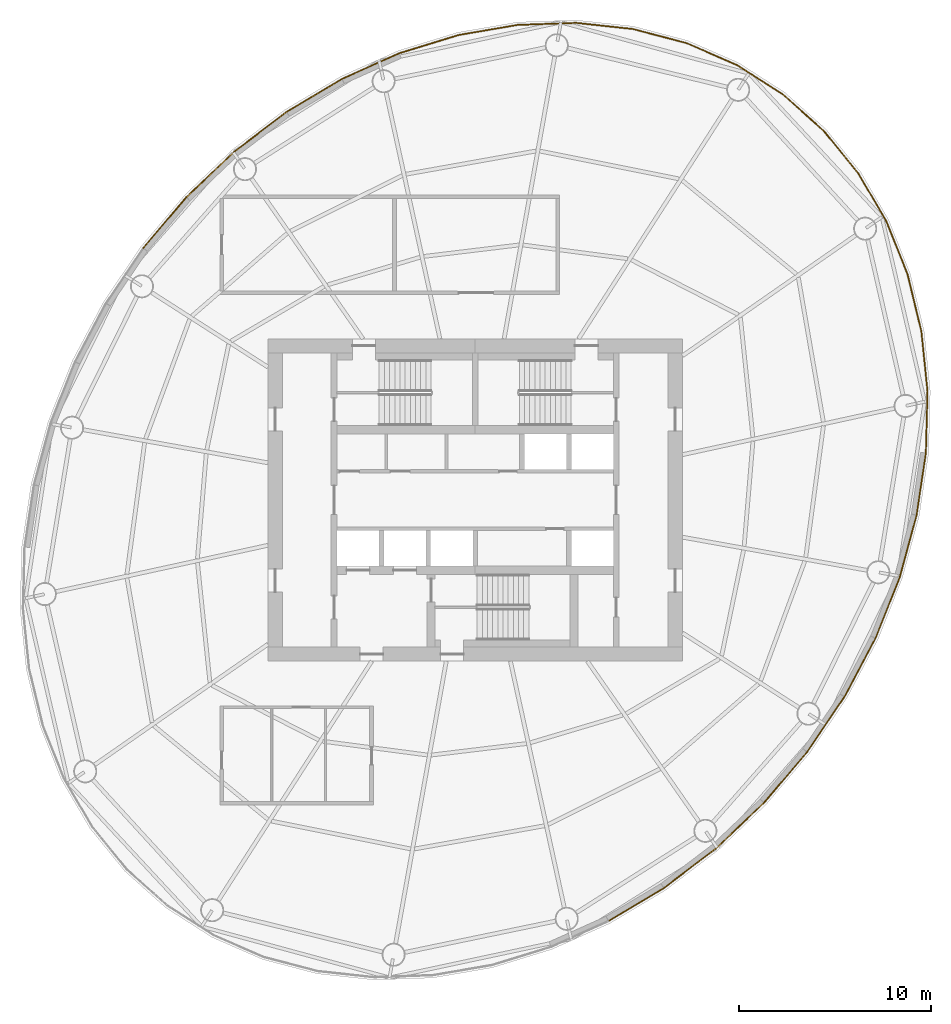
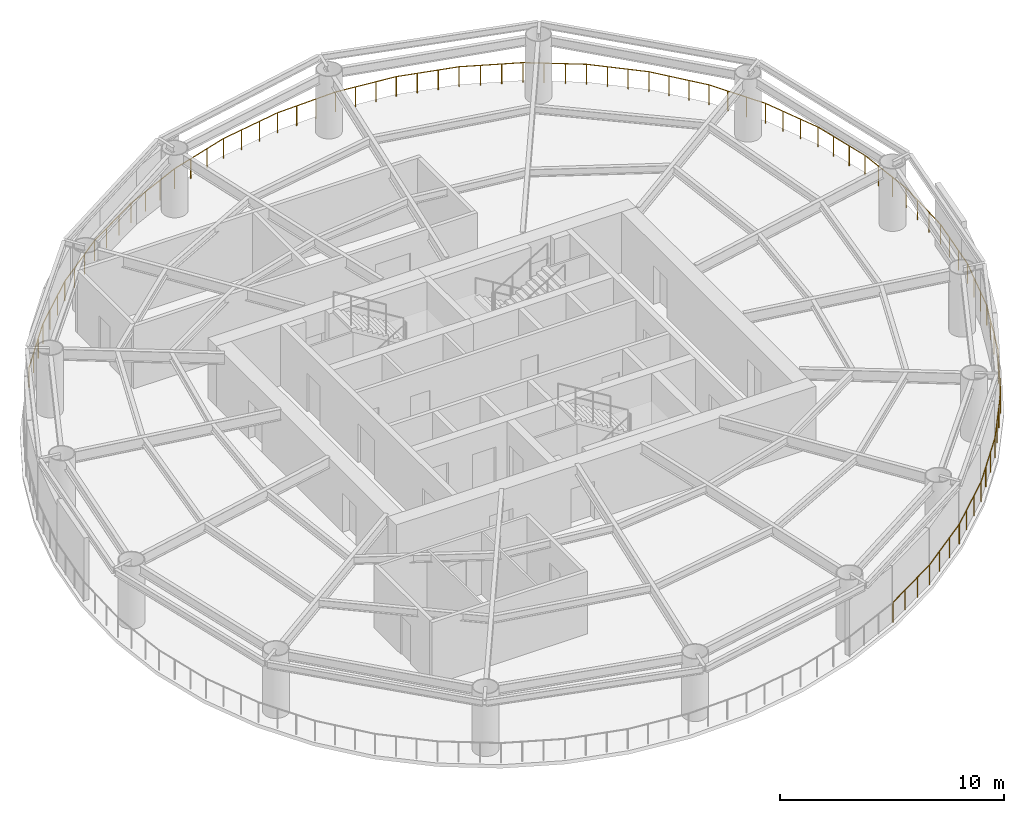
# One storey, part 8 of 8: 7 railings.
"""IFC4 building model written with IfcOpenShell, lengths in metres."""

from ifc_helpers import new_model, si_unit, direction, frame, origin, origin_2d, place, context, subcontext, project, spatial, circle, extrude, material, type_object, element, save


model = new_model("IFC4")

# Units and contexts
model_context = context("Model", 3, precision=1e-05, world=origin(), true_north=direction((0.0, 1.0)))
body_context = subcontext(model_context, "Body", "Model", "MODEL_VIEW")
ifc_project = project(units=[si_unit("LENGTHUNIT", "METRE"), si_unit("AREAUNIT", "SQUARE_METRE"), si_unit("VOLUMEUNIT", "CUBIC_METRE"), si_unit("PLANEANGLEUNIT", "RADIAN"), si_unit("MASSUNIT", "GRAM", prefix="KILO")], contexts=[model_context])

# Site, building, storey
site_placement = place(None, origin())
site = spatial("IfcSite", under=ifc_project, at=site_placement, CompositionType="ELEMENT")
building_placement = place(site_placement, origin())
building = spatial("IfcBuilding", under=site, at=building_placement, Name="Vermilion Reach Broadcast Tower", CompositionType="ELEMENT")
storey_placement = place(building_placement, frame((0.0, 0.0, 242.5)))
storey = spatial("IfcBuildingStorey", under=building, at=storey_placement, Name="L60", CompositionType="ELEMENT", Elevation=242.5)

# Railings
ifc_material = material(Name="Steel guardrail with stainless infill", Category="steel")
railing_type = type_object("IfcRailingType", Name="Open floor guardrail 1100", PredefinedType="GUARDRAIL", material=ifc_material)
railing_1_placement = place(storey_placement, frame((10.036376953125, 21.127197265625, 0.0)))
element("IfcRailing", 1, at=railing_1_placement, inside=storey, type_object=railing_type, Name="sp.rail.L60.00", PredefinedType="GUARDRAIL", context=body_context, shape_type="SweptSolid", body=[
    extrude(circle(Radius=0.02490234375, at=origin_2d()), frame((0.0, 0.0, 1.0751953125), z_axis=(-0.842202657489, 0.539161092549, 0.0), x_axis=(-0.539161092549, -0.842202657489, 0.0)), (0.0, 0.0, 1.0), 2.838134765625),
    extrude(circle(Radius=0.02490234375, at=origin_2d()), frame((-2.390380859375, 1.5302734375, 1.0751953125), z_axis=(-0.916638271339, 0.399717749814, 0.0), x_axis=(-0.399717749814, -0.916638271339, 0.0)), (0.0, 0.0, 1.0), 2.862060546875),
    extrude(circle(Radius=0.02490234375, at=origin_2d()), frame((-5.013916015625, 2.67431640625, 1.0751953125), z_axis=(-0.967298199727, 0.253641859333, 0.0), x_axis=(-0.253641859333, -0.967298199727, 0.0)), (0.0, 0.0, 1.0), 2.90771484375),
    extrude(circle(Radius=0.02490234375, at=origin_2d()), frame((-7.82666015625, 3.411865234375, 1.0751953125), z_axis=(-0.994224596415, 0.107319391926, 0.0), x_axis=(-0.107319391926, -0.994224596415, 0.0)), (0.0, 0.0, 1.0), 2.970947265625),
    extrude(circle(Radius=0.02490234375, at=origin_2d()), origin(), (0.0, 0.0, 1.0), 1.050048828125),
    extrude(circle(Radius=0.02490234375, at=origin_2d()), frame((-0.796875, 0.510009765625, 0.0)), (0.0, 0.0, 1.0), 1.050048828125),
    extrude(circle(Radius=0.02490234375, at=origin_2d()), frame((-1.593505859375, 1.020263671875, 0.0)), (0.0, 0.0, 1.0), 1.050048828125),
    extrude(circle(Radius=0.02490234375, at=origin_2d()), frame((-2.390380859375, 1.5302734375, 0.0)), (0.0, 0.0, 1.0), 1.050048828125),
    extrude(circle(Radius=0.02490234375, at=origin_2d()), frame((-3.264892578125, 1.91162109375, 0.0)), (0.0, 0.0, 1.0), 1.050048828125),
    extrude(circle(Radius=0.02490234375, at=origin_2d()), frame((-4.139404296875, 2.29296875, 0.0)), (0.0, 0.0, 1.0), 1.050048828125),
    extrude(circle(Radius=0.02490234375, at=origin_2d()), frame((-5.013916015625, 2.67431640625, 0.0)), (0.0, 0.0, 1.0), 1.050048828125),
    extrude(circle(Radius=0.02490234375, at=origin_2d()), frame((-5.951416015625, 2.920166015625, 0.0)), (0.0, 0.0, 1.0), 1.050048828125),
    extrude(circle(Radius=0.02490234375, at=origin_2d()), frame((-6.88916015625, 3.166015625, 0.0)), (0.0, 0.0, 1.0), 1.050048828125),
    extrude(circle(Radius=0.02490234375, at=origin_2d()), frame((-7.82666015625, 3.411865234375, 0.0)), (0.0, 0.0, 1.0), 1.050048828125),
    extrude(circle(Radius=0.02490234375, at=origin_2d()), frame((-8.811279296875, 3.51806640625, 0.0)), (0.0, 0.0, 1.0), 1.050048828125),
    extrude(circle(Radius=0.02490234375, at=origin_2d()), frame((-9.7958984375, 3.62451171875, 0.0)), (0.0, 0.0, 1.0), 1.050048828125),
    extrude(circle(Radius=0.02490234375, at=origin_2d()), frame((-10.780517578125, 3.730712890625, 0.0)), (0.0, 0.0, 1.0), 1.050048828125),
])
railing_2_placement = place(storey_placement, frame((-0.744140625, 24.85791015625, 0.0)))
element("IfcRailing", 2, at=railing_2_placement, inside=storey, type_object=railing_type, Name="sp.rail.L60.01", PredefinedType="GUARDRAIL", context=body_context, shape_type="SweptSolid", body=[
    extrude(circle(Radius=0.02490234375, at=origin_2d()), frame((0.0, 0.0, 1.0751953125), z_axis=(-0.999395003801, -0.034779683397, 0.0), x_axis=(0.034779683397, -0.999395003801, 0.0)), (0.0, 0.0, 1.0), 3.046630859375),
    extrude(circle(Radius=0.02490234375, at=origin_2d()), frame((-3.044677734375, -0.10595703125, 1.0751953125), z_axis=(-0.985574321614, -0.16924318768, 0.0), x_axis=(0.16924318768, -0.985574321614, 0.0)), (0.0, 0.0, 1.0), 3.12890625),
    extrude(circle(Radius=0.02490234375, at=origin_2d()), frame((-6.12841796875, -0.635498046875, 1.0751953125), z_axis=(-0.955813519835, -0.293973664297, 0.0), x_axis=(0.293973664297, -0.955813519835, 0.0)), (0.0, 0.0, 1.0), 3.21142578125),
    extrude(circle(Radius=0.02490234375, at=origin_2d()), frame((-9.197998046875, -1.57958984375, 1.0751953125), z_axis=(-0.912835723321, -0.408327004042, 0.0), x_axis=(0.408327004042, -0.912835723321, 0.0)), (0.0, 0.0, 1.0), 3.28955078125),
    extrude(circle(Radius=0.02490234375, at=origin_2d()), origin(), (0.0, 0.0, 1.0), 1.050048828125),
    extrude(circle(Radius=0.02490234375, at=origin_2d()), frame((-1.014892578125, -0.035400390625, 0.0)), (0.0, 0.0, 1.0), 1.050048828125),
    extrude(circle(Radius=0.02490234375, at=origin_2d()), frame((-2.02978515625, -0.070556640625, 0.0)), (0.0, 0.0, 1.0), 1.050048828125),
    extrude(circle(Radius=0.02490234375, at=origin_2d()), frame((-3.044677734375, -0.10595703125, 0.0)), (0.0, 0.0, 1.0), 1.050048828125),
    extrude(circle(Radius=0.02490234375, at=origin_2d()), frame((-4.072509765625, -0.282470703125, 0.0)), (0.0, 0.0, 1.0), 1.050048828125),
    extrude(circle(Radius=0.02490234375, at=origin_2d()), frame((-5.1005859375, -0.458984375, 0.0)), (0.0, 0.0, 1.0), 1.050048828125),
    extrude(circle(Radius=0.02490234375, at=origin_2d()), frame((-6.12841796875, -0.635498046875, 0.0)), (0.0, 0.0, 1.0), 1.050048828125),
    extrude(circle(Radius=0.02490234375, at=origin_2d()), frame((-7.151611328125, -0.9501953125, 0.0)), (0.0, 0.0, 1.0), 1.050048828125),
    extrude(circle(Radius=0.02490234375, at=origin_2d()), frame((-8.1748046875, -1.264892578125, 0.0)), (0.0, 0.0, 1.0), 1.050048828125),
    extrude(circle(Radius=0.02490234375, at=origin_2d()), frame((-9.197998046875, -1.57958984375, 0.0)), (0.0, 0.0, 1.0), 1.050048828125),
    extrude(circle(Radius=0.02490234375, at=origin_2d()), frame((-10.198974609375, -2.02734375, 0.0)), (0.0, 0.0, 1.0), 1.050048828125),
    extrude(circle(Radius=0.02490234375, at=origin_2d()), frame((-11.199951171875, -2.47509765625, 0.0)), (0.0, 0.0, 1.0), 1.050048828125),
    extrude(circle(Radius=0.02490234375, at=origin_2d()), frame((-12.200927734375, -2.9228515625, 0.0)), (0.0, 0.0, 1.0), 1.050048828125),
])
railing_3_placement = place(storey_placement, frame((-12.945068359375, 21.93505859375, 0.0)))
element("IfcRailing", 3, at=railing_3_placement, inside=storey, type_object=railing_type, Name="sp.rail.L60.02", PredefinedType="GUARDRAIL", context=body_context, shape_type="SweptSolid", body=[
    extrude(circle(Radius=0.02490234375, at=origin_2d()), frame((0.0, 0.0, 1.0751953125), z_axis=(-0.858996781751, -0.511980984942, 0.0), x_axis=(0.511980984942, -0.858996781751, 0.0)), (0.0, 0.0, 1.0), 3.35791015625),
    extrude(circle(Radius=0.02490234375, at=origin_2d()), frame((-2.884521484375, -1.71923828125, 1.0751953125), z_axis=(-0.795947090382, -0.605366194392, 0.0), x_axis=(0.605366194392, -0.795947090382, 0.0)), (0.0, 0.0, 1.0), 3.41259765625),
    extrude(circle(Radius=0.02490234375, at=origin_2d()), frame((-5.600830078125, -3.78515625, 1.0751953125), z_axis=(-0.72488108774, -0.688874015069, 0.0), x_axis=(0.688874015069, -0.72488108774, 0.0)), (0.0, 0.0, 1.0), 3.451171875),
    extrude(circle(Radius=0.02490234375, at=origin_2d()), frame((-8.1025390625, -6.16259765625, 1.0751953125), z_axis=(-0.646418292005, -0.762983218532, 0.0), x_axis=(0.762983218532, -0.646418292005, 0.0)), (0.0, 0.0, 1.0), 3.470458984375),
    extrude(circle(Radius=0.02490234375, at=origin_2d()), origin(), (0.0, 0.0, 1.0), 1.050048828125),
    extrude(circle(Radius=0.02490234375, at=origin_2d()), frame((-0.96142578125, -0.572998046875, 0.0)), (0.0, 0.0, 1.0), 1.050048828125),
    extrude(circle(Radius=0.02490234375, at=origin_2d()), frame((-1.923095703125, -1.146240234375, 0.0)), (0.0, 0.0, 1.0), 1.050048828125),
    extrude(circle(Radius=0.02490234375, at=origin_2d()), frame((-2.884521484375, -1.71923828125, 0.0)), (0.0, 0.0, 1.0), 1.050048828125),
    extrude(circle(Radius=0.02490234375, at=origin_2d()), frame((-3.7900390625, -2.407958984375, 0.0)), (0.0, 0.0, 1.0), 1.050048828125),
    extrude(circle(Radius=0.02490234375, at=origin_2d()), frame((-4.6953125, -3.096435546875, 0.0)), (0.0, 0.0, 1.0), 1.050048828125),
    extrude(circle(Radius=0.02490234375, at=origin_2d()), frame((-5.600830078125, -3.78515625, 0.0)), (0.0, 0.0, 1.0), 1.050048828125),
    extrude(circle(Radius=0.02490234375, at=origin_2d()), frame((-6.434814453125, -4.57763671875, 0.0)), (0.0, 0.0, 1.0), 1.050048828125),
    extrude(circle(Radius=0.02490234375, at=origin_2d()), frame((-7.2685546875, -5.3701171875, 0.0)), (0.0, 0.0, 1.0), 1.050048828125),
    extrude(circle(Radius=0.02490234375, at=origin_2d()), frame((-8.1025390625, -6.16259765625, 0.0)), (0.0, 0.0, 1.0), 1.050048828125),
    extrude(circle(Radius=0.02490234375, at=origin_2d()), frame((-8.850341796875, -7.045166015625, 0.0)), (0.0, 0.0, 1.0), 1.050048828125),
    extrude(circle(Radius=0.02490234375, at=origin_2d()), frame((-9.59814453125, -7.927978515625, 0.0)), (0.0, 0.0, 1.0), 1.050048828125),
    extrude(circle(Radius=0.02490234375, at=origin_2d()), frame((-10.345947265625, -8.810546875, 0.0)), (0.0, 0.0, 1.0), 1.050048828125),
])
railing_4_placement = place(storey_placement, frame((0.945068359375, -21.93505859375, 0.0)))
element("IfcRailing", 4, at=railing_4_placement, inside=storey, type_object=railing_type, Name="sp.rail.L60.08", PredefinedType="GUARDRAIL", context=body_context, shape_type="SweptSolid", body=[
    extrude(circle(Radius=0.02490234375, at=origin_2d()), frame((0.0, 0.0, 1.0751953125), z_axis=(0.858996781751, 0.511980984942, 0.0), x_axis=(-0.511980984942, 0.858996781751, 0.0)), (0.0, 0.0, 1.0), 3.35791015625),
    extrude(circle(Radius=0.02490234375, at=origin_2d()), frame((2.884521484375, 1.71923828125, 1.0751953125), z_axis=(0.795947090382, 0.605366194392, 0.0), x_axis=(-0.605366194392, 0.795947090382, 0.0)), (0.0, 0.0, 1.0), 3.41259765625),
    extrude(circle(Radius=0.02490234375, at=origin_2d()), frame((5.600830078125, 3.78515625, 1.0751953125), z_axis=(0.72488108774, 0.688874015069, 0.0), x_axis=(-0.688874015069, 0.72488108774, 0.0)), (0.0, 0.0, 1.0), 3.451171875),
    extrude(circle(Radius=0.02490234375, at=origin_2d()), frame((8.1025390625, 6.16259765625, 1.0751953125), z_axis=(0.646418292005, 0.762983218532, 0.0), x_axis=(-0.762983218532, 0.646418292005, 0.0)), (0.0, 0.0, 1.0), 3.470458984375),
    extrude(circle(Radius=0.02490234375, at=origin_2d()), origin(), (0.0, 0.0, 1.0), 1.050048828125),
    extrude(circle(Radius=0.02490234375, at=origin_2d()), frame((0.96142578125, 0.572998046875, 0.0)), (0.0, 0.0, 1.0), 1.050048828125),
    extrude(circle(Radius=0.02490234375, at=origin_2d()), frame((1.923095703125, 1.146240234375, 0.0)), (0.0, 0.0, 1.0), 1.050048828125),
    extrude(circle(Radius=0.02490234375, at=origin_2d()), frame((2.884521484375, 1.71923828125, 0.0)), (0.0, 0.0, 1.0), 1.050048828125),
    extrude(circle(Radius=0.02490234375, at=origin_2d()), frame((3.7900390625, 2.407958984375, 0.0)), (0.0, 0.0, 1.0), 1.050048828125),
    extrude(circle(Radius=0.02490234375, at=origin_2d()), frame((4.6953125, 3.096435546875, 0.0)), (0.0, 0.0, 1.0), 1.050048828125),
    extrude(circle(Radius=0.02490234375, at=origin_2d()), frame((5.600830078125, 3.78515625, 0.0)), (0.0, 0.0, 1.0), 1.050048828125),
    extrude(circle(Radius=0.02490234375, at=origin_2d()), frame((6.434814453125, 4.57763671875, 0.0)), (0.0, 0.0, 1.0), 1.050048828125),
    extrude(circle(Radius=0.02490234375, at=origin_2d()), frame((7.2685546875, 5.3701171875, 0.0)), (0.0, 0.0, 1.0), 1.050048828125),
    extrude(circle(Radius=0.02490234375, at=origin_2d()), frame((8.1025390625, 6.16259765625, 0.0)), (0.0, 0.0, 1.0), 1.050048828125),
    extrude(circle(Radius=0.02490234375, at=origin_2d()), frame((8.850341796875, 7.045166015625, 0.0)), (0.0, 0.0, 1.0), 1.050048828125),
    extrude(circle(Radius=0.02490234375, at=origin_2d()), frame((9.59814453125, 7.927978515625, 0.0)), (0.0, 0.0, 1.0), 1.050048828125),
    extrude(circle(Radius=0.02490234375, at=origin_2d()), frame((10.345947265625, 8.810546875, 0.0)), (0.0, 0.0, 1.0), 1.050048828125),
])
railing_5_placement = place(storey_placement, frame((11.291015625, -13.12451171875, 0.0)))
element("IfcRailing", 5, at=railing_5_placement, inside=storey, type_object=railing_type, Name="sp.rail.L60.09", PredefinedType="GUARDRAIL", context=body_context, shape_type="SweptSolid", body=[
    extrude(circle(Radius=0.02490234375, at=origin_2d()), frame((0.0, 0.0, 1.0751953125), z_axis=(0.561031680538, 0.827794330394, 0.0), x_axis=(-0.827794330394, 0.561031680538, 0.0)), (0.0, 0.0, 1.0), 3.470458984375),
    extrude(circle(Radius=0.02490234375, at=origin_2d()), frame((1.947021484375, 2.872802734375, 1.0751953125), z_axis=(0.468589631289, 0.883415959471, 0.0), x_axis=(-0.883415959471, 0.468589631289, 0.0)), (0.0, 0.0, 1.0), 3.451171875),
    extrude(circle(Radius=0.02490234375, at=origin_2d()), frame((3.564208984375, 5.921630859375, 1.0751953125), z_axis=(0.368996596938, 0.929430745913, 0.0), x_axis=(-0.929430745913, 0.368996596938, 0.0)), (0.0, 0.0, 1.0), 3.41259765625),
    extrude(circle(Radius=0.02490234375, at=origin_2d()), frame((4.823486328125, 9.093505859375, 1.0751953125), z_axis=(0.26217602401, 0.96502006841, 0.0), x_axis=(-0.96502006841, 0.26217602401, 0.0)), (0.0, 0.0, 1.0), 3.35791015625),
    extrude(circle(Radius=0.02490234375, at=origin_2d()), origin(), (0.0, 0.0, 1.0), 1.050048828125),
    extrude(circle(Radius=0.02490234375, at=origin_2d()), frame((0.64892578125, 0.95751953125, 0.0)), (0.0, 0.0, 1.0), 1.050048828125),
    extrude(circle(Radius=0.02490234375, at=origin_2d()), frame((1.298095703125, 1.915283203125, 0.0)), (0.0, 0.0, 1.0), 1.050048828125),
    extrude(circle(Radius=0.02490234375, at=origin_2d()), frame((1.947021484375, 2.872802734375, 0.0)), (0.0, 0.0, 1.0), 1.050048828125),
    extrude(circle(Radius=0.02490234375, at=origin_2d()), frame((2.486083984375, 3.88916015625, 0.0)), (0.0, 0.0, 1.0), 1.050048828125),
    extrude(circle(Radius=0.02490234375, at=origin_2d()), frame((3.025146484375, 4.9052734375, 0.0)), (0.0, 0.0, 1.0), 1.050048828125),
    extrude(circle(Radius=0.02490234375, at=origin_2d()), frame((3.564208984375, 5.921630859375, 0.0)), (0.0, 0.0, 1.0), 1.050048828125),
    extrude(circle(Radius=0.02490234375, at=origin_2d()), frame((3.98388671875, 6.97900390625, 0.0)), (0.0, 0.0, 1.0), 1.050048828125),
    extrude(circle(Radius=0.02490234375, at=origin_2d()), frame((4.40380859375, 8.0361328125, 0.0)), (0.0, 0.0, 1.0), 1.050048828125),
    extrude(circle(Radius=0.02490234375, at=origin_2d()), frame((4.823486328125, 9.093505859375, 0.0)), (0.0, 0.0, 1.0), 1.050048828125),
    extrude(circle(Radius=0.02490234375, at=origin_2d()), frame((5.116943359375, 10.173583984375, 0.0)), (0.0, 0.0, 1.0), 1.050048828125),
    extrude(circle(Radius=0.02490234375, at=origin_2d()), frame((5.410400390625, 11.25390625, 0.0)), (0.0, 0.0, 1.0), 1.050048828125),
    extrude(circle(Radius=0.02490234375, at=origin_2d()), frame((5.703857421875, 12.333984375, 0.0)), (0.0, 0.0, 1.0), 1.050048828125),
])
railing_6_placement = place(storey_placement, frame((16.994873046875, -0.79052734375, 0.0)))
element("IfcRailing", 6, at=railing_6_placement, inside=storey, type_object=railing_type, Name="sp.rail.L60.10", PredefinedType="GUARDRAIL", context=body_context, shape_type="SweptSolid", body=[
    extrude(circle(Radius=0.02490234375, at=origin_2d()), frame((0.0, 0.0, 1.0751953125), z_axis=(0.147767011732, 0.989022199065, 0.0), x_axis=(-0.989022199065, 0.147767011732, 0.0)), (0.0, 0.0, 1.0), 3.28955078125),
    extrude(circle(Radius=0.02490234375, at=origin_2d()), frame((0.486083984375, 3.25341796875, 1.0751953125), z_axis=(0.026148762341, 0.999658062653, 0.0), x_axis=(-0.999658062653, 0.026148762341, 0.0)), (0.0, 0.0, 1.0), 3.211669921875),
    extrude(circle(Radius=0.02490234375, at=origin_2d()), frame((0.570068359375, 6.464111328125, 1.0751953125), z_axis=(-0.102068466274, 0.994777376197, 0.0), x_axis=(-0.994777376197, -0.102068466274, 0.0)), (0.0, 0.0, 1.0), 3.128662109375),
    extrude(circle(Radius=0.02490234375, at=origin_2d()), frame((0.250732421875, 9.576416015625, 1.0751953125), z_axis=(-0.235269751113, 0.971930112823, 0.0), x_axis=(-0.971930112823, -0.235269751113, 0.0)), (0.0, 0.0, 1.0), 3.046630859375),
    extrude(circle(Radius=0.02490234375, at=origin_2d()), origin(), (0.0, 0.0, 1.0), 1.050048828125),
    extrude(circle(Radius=0.02490234375, at=origin_2d()), frame((0.162109375, 1.08447265625, 0.0)), (0.0, 0.0, 1.0), 1.050048828125),
    extrude(circle(Radius=0.02490234375, at=origin_2d()), frame((0.323974609375, 2.1689453125, 0.0)), (0.0, 0.0, 1.0), 1.050048828125),
    extrude(circle(Radius=0.02490234375, at=origin_2d()), frame((0.486083984375, 3.25341796875, 0.0)), (0.0, 0.0, 1.0), 1.050048828125),
    extrude(circle(Radius=0.02490234375, at=origin_2d()), frame((0.51416015625, 4.32373046875, 0.0)), (0.0, 0.0, 1.0), 1.050048828125),
    extrude(circle(Radius=0.02490234375, at=origin_2d()), frame((0.5419921875, 5.393798828125, 0.0)), (0.0, 0.0, 1.0), 1.050048828125),
    extrude(circle(Radius=0.02490234375, at=origin_2d()), frame((0.570068359375, 6.464111328125, 0.0)), (0.0, 0.0, 1.0), 1.050048828125),
    extrude(circle(Radius=0.02490234375, at=origin_2d()), frame((0.463623046875, 7.50146484375, 0.0)), (0.0, 0.0, 1.0), 1.050048828125),
    extrude(circle(Radius=0.02490234375, at=origin_2d()), frame((0.357177734375, 8.5390625, 0.0)), (0.0, 0.0, 1.0), 1.050048828125),
    extrude(circle(Radius=0.02490234375, at=origin_2d()), frame((0.250732421875, 9.576416015625, 0.0)), (0.0, 0.0, 1.0), 1.050048828125),
    extrude(circle(Radius=0.02490234375, at=origin_2d()), frame((0.01171875, 10.5634765625, 0.0)), (0.0, 0.0, 1.0), 1.050048828125),
    extrude(circle(Radius=0.02490234375, at=origin_2d()), frame((-0.22705078125, 11.550537109375, 0.0)), (0.0, 0.0, 1.0), 1.050048828125),
    extrude(circle(Radius=0.02490234375, at=origin_2d()), frame((-0.466064453125, 12.53759765625, 0.0)), (0.0, 0.0, 1.0), 1.050048828125),
])
railing_7_placement = place(storey_placement, frame((16.52880859375, 11.7470703125, 0.0)))
element("IfcRailing", 7, at=railing_7_placement, inside=storey, type_object=railing_type, Name="sp.rail.L60.11", PredefinedType="GUARDRAIL", context=body_context, shape_type="SweptSolid", body=[
    extrude(circle(Radius=0.02490234375, at=origin_2d()), frame((0.0, 0.0, 1.0751953125), z_axis=(-0.370696326285, 0.928754129831, 0.0), x_axis=(-0.928754129831, -0.370696326285, 0.0)), (0.0, 0.0, 1.0), 2.970947265625),
    extrude(circle(Radius=0.02490234375, at=origin_2d()), frame((-1.101318359375, 2.75927734375, 1.0751953125), z_axis=(-0.50449730757, 0.863413265276, 0.0), x_axis=(-0.863413265276, -0.50449730757, 0.0)), (0.0, 0.0, 1.0), 2.907958984375),
    extrude(circle(Radius=0.02490234375, at=origin_2d()), frame((-2.568359375, 5.27001953125, 1.0751953125), z_axis=(-0.631391904302, 0.77546390192, 0.0), x_axis=(-0.77546390192, -0.631391904302, 0.0)), (0.0, 0.0, 1.0), 2.862060546875),
    extrude(circle(Radius=0.02490234375, at=origin_2d()), frame((-4.37548828125, 7.489501953125, 1.0751953125), z_axis=(-0.745850661811, 0.666113196294, 0.0), x_axis=(-0.666113196294, -0.745850661811, 0.0)), (0.0, 0.0, 1.0), 2.83837890625),
    extrude(circle(Radius=0.02490234375, at=origin_2d()), origin(), (0.0, 0.0, 1.0), 1.050048828125),
    extrude(circle(Radius=0.02490234375, at=origin_2d()), frame((-0.3671875, 0.919677734375, 0.0)), (0.0, 0.0, 1.0), 1.050048828125),
    extrude(circle(Radius=0.02490234375, at=origin_2d()), frame((-0.734130859375, 1.839599609375, 0.0)), (0.0, 0.0, 1.0), 1.050048828125),
    extrude(circle(Radius=0.02490234375, at=origin_2d()), frame((-1.101318359375, 2.75927734375, 0.0)), (0.0, 0.0, 1.0), 1.050048828125),
    extrude(circle(Radius=0.02490234375, at=origin_2d()), frame((-1.59033203125, 3.59619140625, 0.0)), (0.0, 0.0, 1.0), 1.050048828125),
    extrude(circle(Radius=0.02490234375, at=origin_2d()), frame((-2.079345703125, 4.43310546875, 0.0)), (0.0, 0.0, 1.0), 1.050048828125),
    extrude(circle(Radius=0.02490234375, at=origin_2d()), frame((-2.568359375, 5.27001953125, 0.0)), (0.0, 0.0, 1.0), 1.050048828125),
    extrude(circle(Radius=0.02490234375, at=origin_2d()), frame((-3.170654296875, 6.009765625, 0.0)), (0.0, 0.0, 1.0), 1.050048828125),
    extrude(circle(Radius=0.02490234375, at=origin_2d()), frame((-3.773193359375, 6.749755859375, 0.0)), (0.0, 0.0, 1.0), 1.050048828125),
    extrude(circle(Radius=0.02490234375, at=origin_2d()), frame((-4.37548828125, 7.489501953125, 0.0)), (0.0, 0.0, 1.0), 1.050048828125),
    extrude(circle(Radius=0.02490234375, at=origin_2d()), frame((-5.0810546875, 8.11962890625, 0.0)), (0.0, 0.0, 1.0), 1.050048828125),
    extrude(circle(Radius=0.02490234375, at=origin_2d()), frame((-5.786865234375, 8.75, 0.0)), (0.0, 0.0, 1.0), 1.050048828125),
    extrude(circle(Radius=0.02490234375, at=origin_2d()), frame((-6.492431640625, 9.380126953125, 0.0)), (0.0, 0.0, 1.0), 1.050048828125),
])

save(model, "model.ifc")
